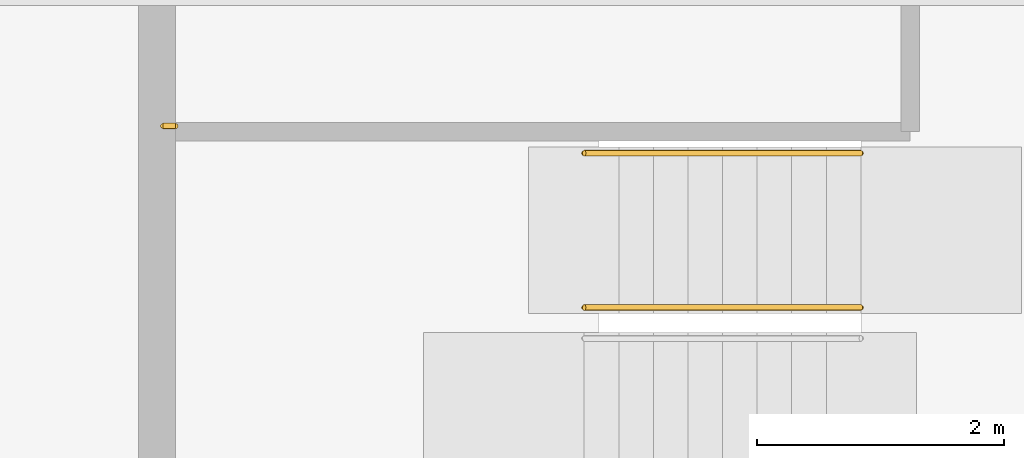
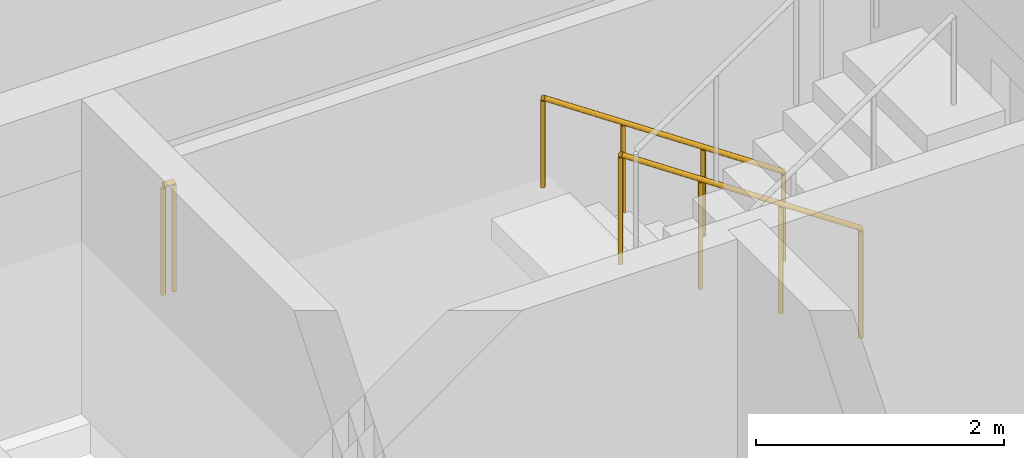
# One storey, part 11 of 12: 3 railings.
"""IFC4 building model written with IfcOpenShell, lengths in metres."""

from ifc_helpers import new_model, si_unit, direction, frame, origin, origin_2d, place, context, subcontext, project, spatial, circle, extrude, material, type_object, element, save


model = new_model("IFC4")

# Units and contexts
model_context = context("Model", 3, precision=1e-05, world=origin(), true_north=direction((0.0, 1.0)))
body_context = subcontext(model_context, "Body", "Model", "MODEL_VIEW")
ifc_project = project(units=[si_unit("LENGTHUNIT", "METRE"), si_unit("AREAUNIT", "SQUARE_METRE"), si_unit("VOLUMEUNIT", "CUBIC_METRE"), si_unit("PLANEANGLEUNIT", "RADIAN"), si_unit("MASSUNIT", "GRAM", prefix="KILO")], contexts=[model_context])

# Site, building, storey
site_placement = place(None, origin())
site = spatial("IfcSite", under=ifc_project, at=site_placement, CompositionType="ELEMENT")
building_placement = place(site_placement, origin())
building = spatial("IfcBuilding", under=site, at=building_placement, Name="Windrow Commons", CompositionType="ELEMENT")
storey_placement = place(building_placement, frame((0.0, 0.0, 250.6)))
storey = spatial("IfcBuildingStorey", under=building, at=storey_placement, Name="L68", CompositionType="ELEMENT", Elevation=250.6)

# Railings
ifc_material_1 = material(Name="Steel S355", Category="steel")
railing_type_1 = type_object("IfcRailingType", Name="Core stair guard 1100", PredefinedType="GUARDRAIL", material=ifc_material_1)
railing_1_placement = place(storey_placement, frame((70.5, 62.355, 0.1889)))
element("IfcRailing", 1, at=railing_1_placement, inside=storey, type_object=railing_type_1, Name="L68 ST-A2 stair guard 1", PredefinedType="GUARDRAIL", context=body_context, shape_type="SweptSolid", body=[
    extrude(circle(Radius=0.024, at=origin_2d()), frame((0.0, 0.0, 1.076), z_axis=(-0.8290030985, 0.0, 0.5592440099), x_axis=(0.0, -1.0, 0.0)), (0.0, 0.0, 1.0), 2.702),
    extrude(circle(Radius=0.021, at=origin_2d()), origin(), (0.0, 0.0, 1.0), 1.052),
    extrude(circle(Radius=0.021, at=origin_2d()), frame((-0.7467, 0.0, 0.5037)), (0.0, 0.0, 1.0), 1.052),
    extrude(circle(Radius=0.021, at=origin_2d()), frame((-1.4933, 0.0, 1.0074)), (0.0, 0.0, 1.0), 1.052),
    extrude(circle(Radius=0.021, at=origin_2d()), frame((-2.24, 0.0, 1.5111)), (0.0, 0.0, 1.0), 1.052),
])
railing_2_placement = place(storey_placement, frame((64.95, 63.825, 1.7)))
element("IfcRailing", 2, at=railing_2_placement, inside=storey, type_object=railing_type_1, Name="L68 ST-A2 stair guard 3", PredefinedType="GUARDRAIL", context=body_context, shape_type="SweptSolid", body=[
    extrude(circle(Radius=0.024, at=origin_2d()), frame((0.0, 0.0, 1.076), z_axis=(-1.0, 0.0, 0.0), x_axis=(0.0, -1.0, 0.0)), (0.0, 0.0, 1.0), 0.1),
    extrude(circle(Radius=0.021, at=origin_2d()), origin(), (0.0, 0.0, 1.0), 1.052),
    extrude(circle(Radius=0.021, at=origin_2d()), frame((-0.1, 0.0, 0.0)), (0.0, 0.0, 1.0), 1.052),
])
ifc_material_2 = material(Name="Steel S355", Category="steel")
railing_type_2 = type_object("IfcRailingType", Name="Core stair handrail 900", PredefinedType="HANDRAIL", material=ifc_material_2)
railing_3_placement = place(storey_placement, frame((70.5, 63.605, 0.1889)))
element("IfcRailing", 3, at=railing_3_placement, inside=storey, type_object=railing_type_2, Name="L68 ST-A2 stair handrail 1", PredefinedType="HANDRAIL", context=body_context, shape_type="SweptSolid", body=[
    extrude(circle(Radius=0.024, at=origin_2d()), frame((0.0, 0.0, 0.876), z_axis=(-0.8290030985, 0.0, 0.5592440099), x_axis=(0.0, -1.0, 0.0)), (0.0, 0.0, 1.0), 2.702),
    extrude(circle(Radius=0.021, at=origin_2d()), origin(), (0.0, 0.0, 1.0), 0.852),
    extrude(circle(Radius=0.021, at=origin_2d()), frame((-0.7467, 0.0, 0.5037)), (0.0, 0.0, 1.0), 0.852),
    extrude(circle(Radius=0.021, at=origin_2d()), frame((-1.4933, 0.0, 1.0074)), (0.0, 0.0, 1.0), 0.852),
    extrude(circle(Radius=0.021, at=origin_2d()), frame((-2.24, 0.0, 1.5111)), (0.0, 0.0, 1.0), 0.852),
])

save(model, "model.ifc")
